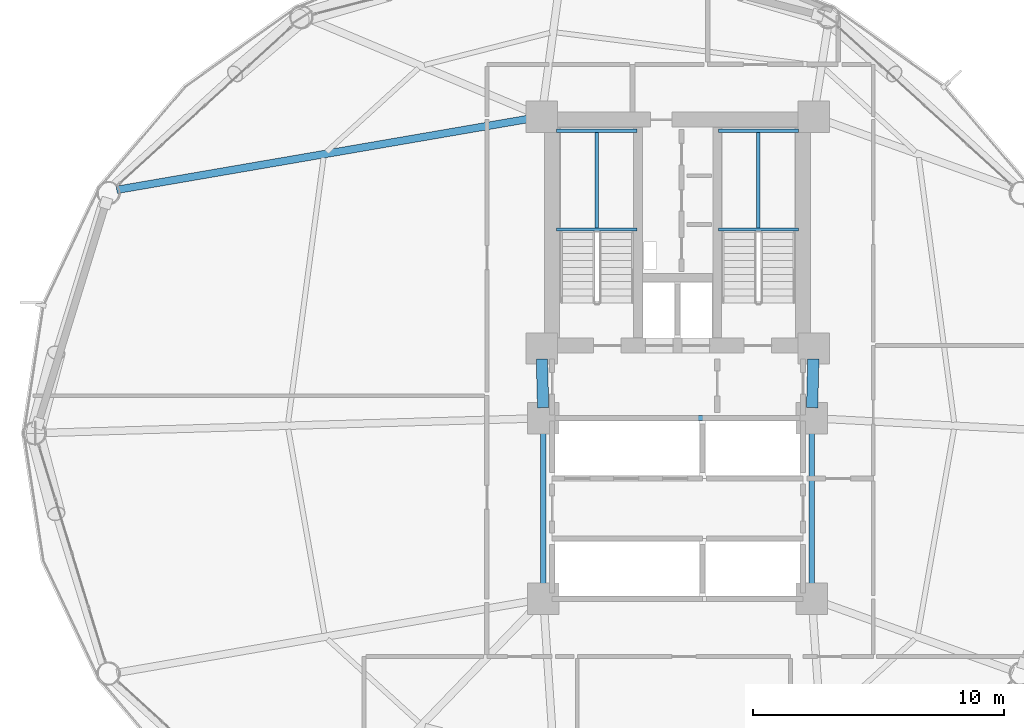
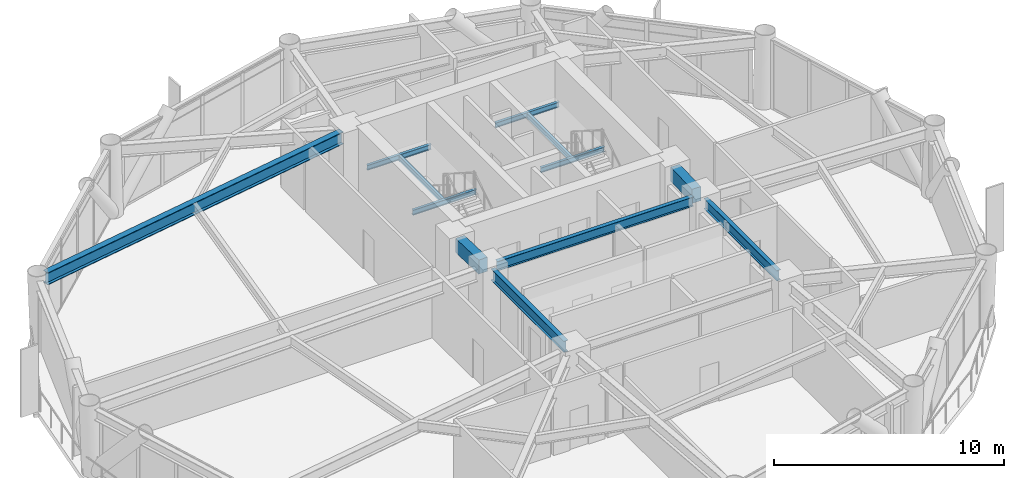
# One storey, part 12 of 26: 12 beams.
"""IFC4 building model written with IfcOpenShell, lengths in metres."""

from ifc_helpers import new_model, si_unit, direction, frame, origin, origin_2d, place, context, subcontext, project, spatial, rectangle, i_section, extrude, material, material_profile, profile_set, type_object, element, save


model = new_model("IFC4")

# Units and contexts
model_context = context("Model", 3, precision=1e-05, world=origin(), true_north=direction((0.0, 1.0)))
body_context = subcontext(model_context, "Body", "Model", "MODEL_VIEW")
ifc_project = project(units=[si_unit("LENGTHUNIT", "METRE"), si_unit("AREAUNIT", "SQUARE_METRE"), si_unit("VOLUMEUNIT", "CUBIC_METRE"), si_unit("PLANEANGLEUNIT", "RADIAN"), si_unit("MASSUNIT", "GRAM", prefix="KILO")], contexts=[model_context])

# Site, building, storey
site_placement = place(None, origin())
site = spatial("IfcSite", under=ifc_project, at=site_placement, CompositionType="ELEMENT")
building_placement = place(site_placement, origin())
building = spatial("IfcBuilding", under=site, at=building_placement, Name="Varnakorn Sky Granary", CompositionType="ELEMENT")
storey_placement = place(building_placement, frame((0.0, 0.0, 51.0)))
storey = spatial("IfcBuildingStorey", under=building, at=storey_placement, Name="L12", CompositionType="ELEMENT", Elevation=51.0)

# Beams
ifc_material_1 = material(Name="Steel S355JR", Category="steel")
ifc_material_profile_1 = material_profile(ifc_material_1, i_section(OverallWidth=0.2099609375, OverallDepth=0.550048828125, WebThickness=0.010986328125, FlangeThickness=0.01708984375, at=origin_2d()), Name="IPE 550")
ifc_profile_set_1 = profile_set([ifc_material_profile_1], Name="Steel S355JR")
beam_type_1 = type_object("IfcBeamType", Name="BM-JST-550", PredefinedType="JOIST", material=ifc_profile_set_1)
beam_1_placement = place(storey_placement, frame((8.35009765625, 0.179931640625, 3.364990234375), z_axis=(0.0, -1.0, 0.0), x_axis=(1.0, 0.0, 0.0)))
element("IfcBeam", 1, at=beam_1_placement, inside=storey, type_object=beam_type_1, Name="Core Spine Framing Beam 4 L12", PredefinedType="JOIST", context=body_context, shape_type="SweptSolid", body=[
    extrude(i_section(OverallWidth=0.2099609375, OverallDepth=0.550048828125, WebThickness=0.010986328125, FlangeThickness=0.01708984375, at=origin_2d()), origin(), (0.0, 0.0, 1.0), 6.35986328125),
])
ifc_material_profile_2 = material_profile(ifc_material_1, i_section(OverallWidth=0.219970703125, OverallDepth=0.60009765625, WebThickness=0.011962890625, FlangeThickness=0.01904296875, at=origin_2d()), Name="IPE 600")
ifc_profile_set_2 = profile_set([ifc_material_profile_2], Name="Steel S355JR")
beam_type_2 = type_object("IfcBeamType", Name="BM-JST-600", PredefinedType="JOIST", material=ifc_profile_set_2)
beam_2_placement = place(storey_placement, frame((-2.35009765625, 0.179931640625, 3.340087890625), z_axis=(0.0, -1.0, 0.0), x_axis=(1.0, 0.0, 0.0)))
element("IfcBeam", 2, at=beam_2_placement, inside=storey, type_object=beam_type_2, Name="Core Spine Framing Beam 3 L12", PredefinedType="JOIST", context=body_context, shape_type="SweptSolid", body=[
    extrude(i_section(OverallWidth=0.219970703125, OverallDepth=0.60009765625, WebThickness=0.011962890625, FlangeThickness=0.01904296875, at=origin_2d()), origin(), (0.0, 0.0, 1.0), 6.35986328125),
])
ifc_material_2 = material(Name="Concrete C60/75", Category="concrete")
ifc_material_profile_3 = material_profile(ifc_material_2, rectangle(XDim=0.449951171875, YDim=0.75, at=origin_2d()), Name="RC 450x750")
ifc_profile_set_3 = profile_set([ifc_material_profile_3], Name="Concrete C60/75")
beam_type_3 = type_object("IfcBeamType", Name="BM-LIN-750", PredefinedType="LINTEL", material=ifc_profile_set_3)
for number, where, z_axis, x_axis, name in (
    (3, (-2.409423828125, 2.960205078125, 3.264892578125), (0.025158763514, -0.999683468213, 0.0), (0.999683468213, 0.025158763514, 0.0), "Core Spine Framing Beam 1 L12"),
    (4, (8.409423828125, 2.960205078125, 3.264892578125), (-0.025158763514, -0.999683468213, 0.0), (0.999683468213, -0.025158763514, 0.0), "Core Spine Framing Beam 2 L12"),
):
    element("IfcBeam", number, at=place(storey_placement, frame(where, z_axis=z_axis, x_axis=x_axis)), inside=storey, type_object=beam_type_3, Name=name, PredefinedType="LINTEL", context=body_context, shape_type="SweptSolid", body=[
        extrude(rectangle(XDim=0.449951171875, YDim=0.75, at=origin_2d()), origin(), (0.0, 0.0, 1.0), 1.94091796875),
    ])
ifc_material_profile_4 = material_profile(ifc_material_1, i_section(OverallWidth=0.135009765625, OverallDepth=0.27001953125, WebThickness=0.006591796875, FlangeThickness=0.01025390625, at=origin_2d()), Name="IPE 270")
ifc_profile_set_4 = profile_set([ifc_material_profile_4], Name="Steel S355JR")
beam_type_4 = type_object("IfcBeamType", Name="BM-LND-270", PredefinedType="BEAM", material=ifc_profile_set_4)
for number, where, z_axis, x_axis, name in (
    (5, (-1.820068359375, 8.1201171875, 1.614990234375), (1.0, 0.0, 0.0), (0.0, 1.0, 0.0), "Stair ST-1 Landing Trimmer Beam A L12-1"),
    (6, (-1.820068359375, 12.06005859375, 1.614990234375), (1.0, 0.0, 0.0), (0.0, 1.0, 0.0), "Stair ST-1 Landing Trimmer Beam B L12-1"),
):
    element("IfcBeam", number, at=place(storey_placement, frame(where, z_axis=z_axis, x_axis=x_axis)), inside=storey, type_object=beam_type_4, Name=name, PredefinedType="BEAM", context=body_context, shape_type="SweptSolid", body=[
        extrude(i_section(OverallWidth=0.135009765625, OverallDepth=0.27001953125, WebThickness=0.006591796875, FlangeThickness=0.01025390625, at=origin_2d()), origin(), (0.0, 0.0, 1.0), 3.199951171875),
    ])
beam_3_placement = place(storey_placement, frame((-0.219970703125, 8.1201171875, 1.614990234375), z_axis=(0.0, 1.0, 0.0), x_axis=(-1.0, 0.0, 0.0)))
element("IfcBeam", 7, at=beam_3_placement, inside=storey, type_object=beam_type_4, Name="Stair ST-1 Landing Cross Beam C L12-1", PredefinedType="BEAM", context=body_context, shape_type="SweptSolid", body=[
    extrude(i_section(OverallWidth=0.135009765625, OverallDepth=0.27001953125, WebThickness=0.006591796875, FlangeThickness=0.01025390625, at=origin_2d()), origin(), (0.0, 0.0, 1.0), 3.93994140625),
])
for number, where, z_axis, x_axis, name in (
    (8, (4.6201171875, 8.1201171875, 1.614990234375), (1.0, 0.0, 0.0), (0.0, 1.0, 0.0), "Stair ST-2 Landing Trimmer Beam A L12-1"),
    (9, (4.6201171875, 12.06005859375, 1.614990234375), (1.0, 0.0, 0.0), (0.0, 1.0, 0.0), "Stair ST-2 Landing Trimmer Beam B L12-1"),
):
    element("IfcBeam", number, at=place(storey_placement, frame(where, z_axis=z_axis, x_axis=x_axis)), inside=storey, type_object=beam_type_4, Name=name, PredefinedType="BEAM", context=body_context, shape_type="SweptSolid", body=[
        extrude(i_section(OverallWidth=0.135009765625, OverallDepth=0.27001953125, WebThickness=0.006591796875, FlangeThickness=0.01025390625, at=origin_2d()), origin(), (0.0, 0.0, 1.0), 3.199951171875),
    ])
beam_4_placement = place(storey_placement, frame((6.219970703125, 8.1201171875, 1.614990234375), z_axis=(0.0, 1.0, 0.0), x_axis=(-1.0, 0.0, 0.0)))
element("IfcBeam", 10, at=beam_4_placement, inside=storey, type_object=beam_type_4, Name="Stair ST-2 Landing Cross Beam C L12-1", PredefinedType="BEAM", context=body_context, shape_type="SweptSolid", body=[
    extrude(i_section(OverallWidth=0.135009765625, OverallDepth=0.27001953125, WebThickness=0.006591796875, FlangeThickness=0.01025390625, at=origin_2d()), origin(), (0.0, 0.0, 1.0), 3.93994140625),
])
ifc_material_profile_5 = material_profile(ifc_material_1, i_section(OverallWidth=0.300048828125, OverallDepth=0.64990234375, WebThickness=0.01611328125, FlangeThickness=0.031005859375, at=origin_2d()), Name="HE 650 B")
ifc_profile_set_5 = profile_set([ifc_material_profile_5], Name="Steel S355JR")
beam_type_5 = type_object("IfcBeamType", Name="BM-RAD-Z1", PredefinedType="BEAM", material=ifc_profile_set_5)
beam_5_placement = place(storey_placement, frame((-2.833984375, 12.548583984375, 3.31494140625), z_axis=(-0.985468775338, -0.16985668322, 0.0), x_axis=(0.16985668322, -0.985468775338, 0.0)))
element("IfcBeam", 11, at=beam_5_placement, inside=storey, type_object=beam_type_5, Name="Radial Floor Girder RG06 L12", PredefinedType="BEAM", context=body_context, shape_type="SweptSolid", body=[
    extrude(i_section(OverallWidth=0.300048828125, OverallDepth=0.64990234375, WebThickness=0.01611328125, FlangeThickness=0.031005859375, at=origin_2d()), origin(), (0.0, 0.0, 1.0), 16.763671875),
])
ifc_material_profile_6 = material_profile(ifc_material_1, i_section(OverallWidth=0.199951171875, OverallDepth=0.5, WebThickness=0.01025390625, FlangeThickness=0.01611328125, at=origin_2d()), Name="IPE 500")
ifc_profile_set_6 = profile_set([ifc_material_profile_6], Name="Steel S355JR")
beam_type_6 = type_object("IfcBeamType", Name="BM-SEC-Z1", PredefinedType="BEAM", material=ifc_profile_set_6)
beam_6_placement = place(storey_placement, frame((-1.929931640625, 0.60009765625, 3.389892578125), z_axis=(1.0, 0.0, 0.0), x_axis=(0.0, 1.0, 0.0)))
element("IfcBeam", 12, at=beam_6_placement, inside=storey, type_object=beam_type_6, Name="Core Spine Framing Beam 5 L12", PredefinedType="BEAM", context=body_context, shape_type="SweptSolid", body=[
    extrude(i_section(OverallWidth=0.199951171875, OverallDepth=0.5, WebThickness=0.01025390625, FlangeThickness=0.01611328125, at=origin_2d()), origin(), (0.0, 0.0, 1.0), 9.85986328125),
])

save(model, "model.ifc")
